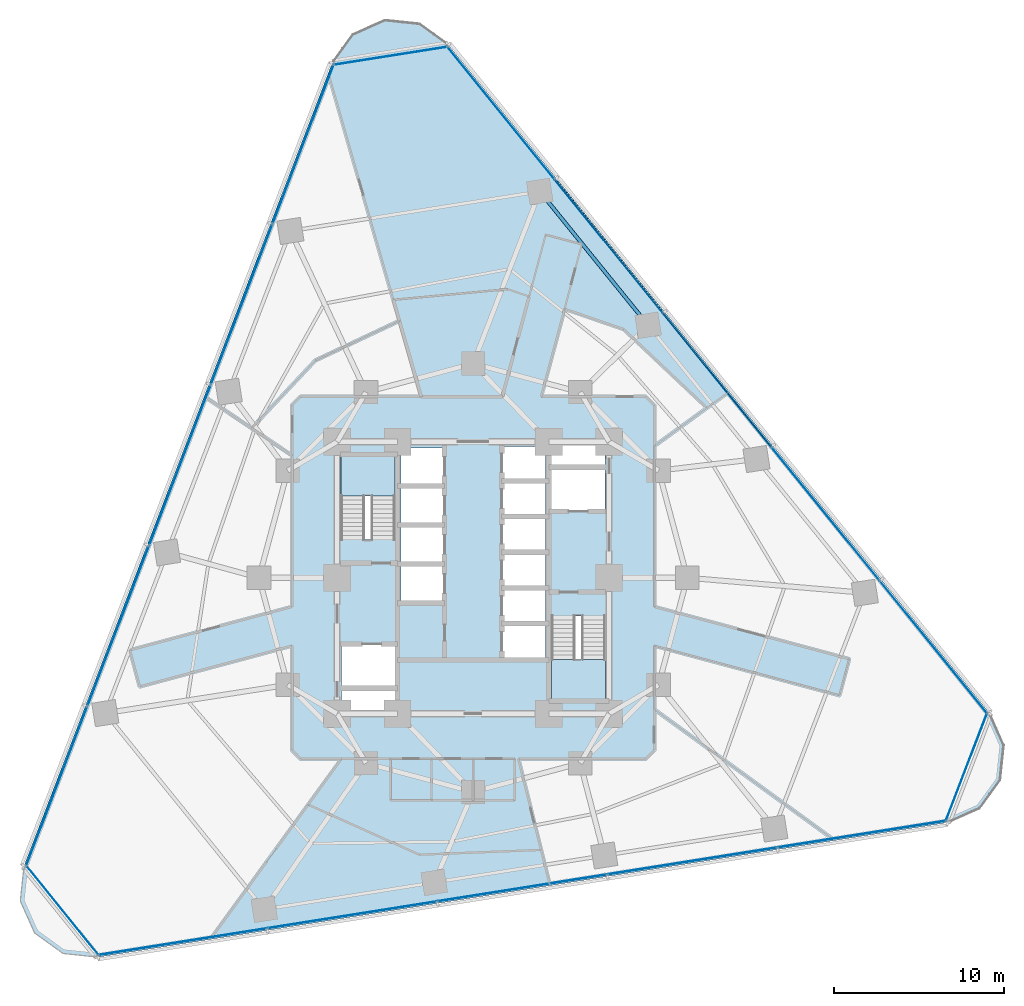
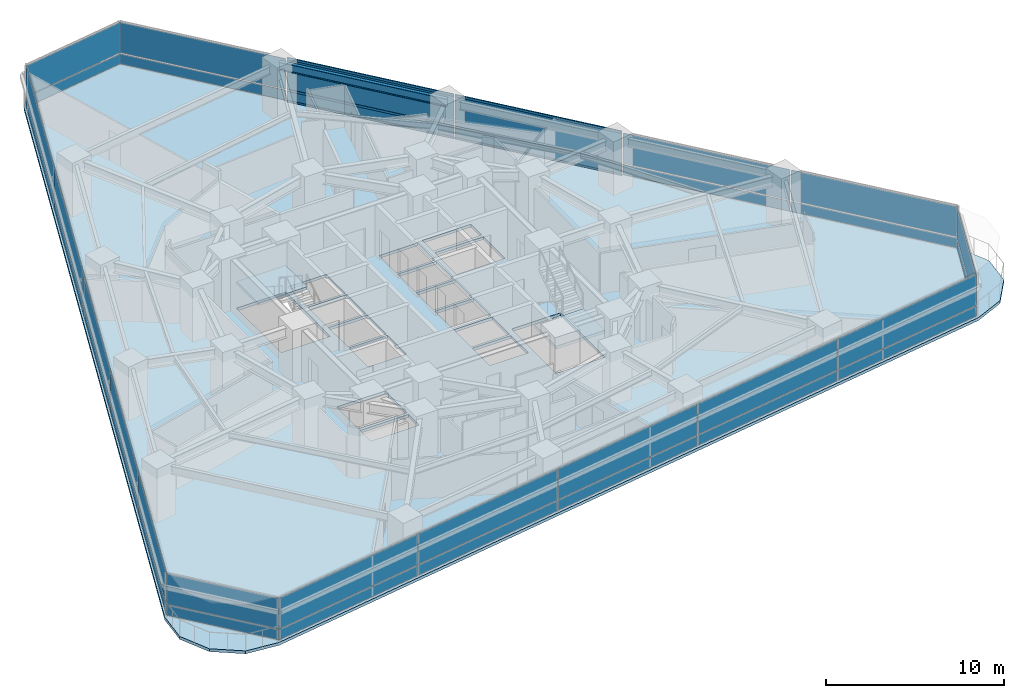
# One storey, part 6 of 13: 36 plates, 6 members, 3 slabs, 1 beam, 8 elements without a shape of their own.
"""IFC4 building model written with IfcOpenShell, lengths in metres."""

from ifc_helpers import new_model, si_unit, direction, frame, origin, origin_2d, place, context, subcontext, project, spatial, polyline, rectangle, i_section, outline, extrude, material, layer, layer_set, material_profile, profile_set, type_object, element, aggregate, save


model = new_model("IFC4")

# Units and contexts
model_context = context("Model", 3, precision=1e-05, world=origin(), true_north=direction((0.0, 1.0)))
body_context = subcontext(model_context, "Body", "Model", "MODEL_VIEW")
ifc_project = project(units=[si_unit("LENGTHUNIT", "METRE"), si_unit("AREAUNIT", "SQUARE_METRE"), si_unit("VOLUMEUNIT", "CUBIC_METRE"), si_unit("PLANEANGLEUNIT", "RADIAN"), si_unit("MASSUNIT", "GRAM", prefix="KILO")], contexts=[model_context])

# Site, building, storey
site_placement = place(None, origin())
site = spatial("IfcSite", under=ifc_project, at=site_placement, CompositionType="ELEMENT")
building_placement = place(site_placement, origin())
building = spatial("IfcBuilding", under=site, at=building_placement, Name="Terralouvre Media Tower", CompositionType="ELEMENT")
storey_placement = place(building_placement, frame((0.0, 0.0, 55.60009765625)))
storey = spatial("IfcBuildingStorey", under=building, at=storey_placement, Name="L13", CompositionType="ELEMENT", Elevation=55.60009765625)

# Curtain wall, members
ifc_material_1 = material(Name="Low-iron laminated double glazing with solar-control coating", Category="glass")
ifc_layer_1 = layer(ifc_material_1, 0.1650390625, Name="Lower Media Tower Unitised Curtain Wall CW-02")
ifc_layer_set_1 = layer_set([ifc_layer_1], Name="Low-iron laminated double glazing with solar-control coating")
curtain_wall_type_1 = type_object("IfcCurtainWallType", Name="Lower Media Tower Unitised Curtain Wall CW-02", PredefinedType="NOTDEFINED", material=ifc_layer_set_1)
curtain_wall_1_placement = place(storey_placement, origin())
curtain_wall_1 = element("IfcCurtainWall", 1, at=curtain_wall_1_placement, inside=storey, type_object=curtain_wall_type_1, Name="L13 Facade Curtain Wall F1", PredefinedType="NOTDEFINED")
ifc_material_2 = material(Name="Anodised extruded aluminium 6063-T6", Category="aluminium")
ifc_material_profile_1 = material_profile(ifc_material_2, rectangle(XDim=0.074951171875, YDim=0.14990234375, at=origin_2d()), Name="ALU 75x150")
ifc_profile_set_1 = profile_set([ifc_material_profile_1], Name="Anodised extruded aluminium 6063-T6")
member_type = type_object("IfcMemberType", Name="Curtain-Wall Horizontal Transom TR-150", PredefinedType="USERDEFINED", material=ifc_profile_set_1)
member_1_placement = place(storey_placement, frame((17.523681640625, 7.72265625, 0.037353515625), z_axis=(-0.629319084722, 0.777147019299, 0.0), x_axis=(-0.777147019299, -0.629319084722, 0.0)))
member_1 = element("IfcMember", 2, at=member_1_placement, type_object=member_type, Name="CW-02 transom 3.1", ObjectType="TRANSOM", PredefinedType="USERDEFINED", context=body_context, shape_type="SweptSolid", body=[
    extrude(rectangle(XDim=0.074951171875, YDim=0.14990234375, at=origin_2d()), origin(), (0.0, 0.0, 1.0), 10.052734375),
])
member_2_placement = place(storey_placement, frame((17.523681640625, 7.72265625, 0.7998046875), z_axis=(-0.629319084722, 0.777147019299, 0.0), x_axis=(-0.777147019299, -0.629319084722, 0.0)))
member_2 = element("IfcMember", 3, at=member_2_placement, type_object=member_type, Name="CW-02 transom 3.2", ObjectType="TRANSOM", PredefinedType="USERDEFINED", context=body_context, shape_type="SweptSolid", body=[
    extrude(rectangle(XDim=0.074951171875, YDim=0.14990234375, at=origin_2d()), origin(), (0.0, 0.0, 1.0), 10.052734375),
])
member_3_placement = place(storey_placement, frame((17.523681640625, 7.72265625, 2.96240234375), z_axis=(-0.629319084722, 0.777147019299, 0.0), x_axis=(-0.777147019299, -0.629319084722, 0.0)))
member_3 = element("IfcMember", 4, at=member_3_placement, type_object=member_type, Name="CW-02 transom 3.3", ObjectType="TRANSOM", PredefinedType="USERDEFINED", context=body_context, shape_type="SweptSolid", body=[
    extrude(rectangle(XDim=0.074951171875, YDim=0.14990234375, at=origin_2d()), origin(), (0.0, 0.0, 1.0), 10.052734375),
])
member_4_placement = place(storey_placement, frame((11.14990234375, 15.593505859375, 0.037353515625), z_axis=(-0.629307207311, 0.777156637253, 0.0), x_axis=(-0.777156637253, -0.629307207311, 0.0)))
member_4 = element("IfcMember", 5, at=member_4_placement, type_object=member_type, Name="CW-02 transom 4.1", ObjectType="TRANSOM", PredefinedType="USERDEFINED", context=body_context, shape_type="SweptSolid", body=[
    extrude(rectangle(XDim=0.074951171875, YDim=0.14990234375, at=origin_2d()), origin(), (0.0, 0.0, 1.0), 10.052978515625),
])
member_5_placement = place(storey_placement, frame((11.14990234375, 15.593505859375, 0.7998046875), z_axis=(-0.629307207311, 0.777156637253, 0.0), x_axis=(-0.777156637253, -0.629307207311, 0.0)))
member_5 = element("IfcMember", 6, at=member_5_placement, type_object=member_type, Name="CW-02 transom 4.2", ObjectType="TRANSOM", PredefinedType="USERDEFINED", context=body_context, shape_type="SweptSolid", body=[
    extrude(rectangle(XDim=0.074951171875, YDim=0.14990234375, at=origin_2d()), origin(), (0.0, 0.0, 1.0), 10.052978515625),
])
member_6_placement = place(storey_placement, frame((11.14990234375, 15.593505859375, 2.96240234375), z_axis=(-0.629307207311, 0.777156637253, 0.0), x_axis=(-0.777156637253, -0.629307207311, 0.0)))
member_6 = element("IfcMember", 7, at=member_6_placement, type_object=member_type, Name="CW-02 transom 4.3", ObjectType="TRANSOM", PredefinedType="USERDEFINED", context=body_context, shape_type="SweptSolid", body=[
    extrude(rectangle(XDim=0.074951171875, YDim=0.14990234375, at=origin_2d()), origin(), (0.0, 0.0, 1.0), 10.052978515625),
])

# Beam
ifc_material_3 = material(Name="Structural steel S355J2", Category="steel")
ifc_material_profile_2 = material_profile(ifc_material_3, i_section(OverallWidth=0.2099609375, OverallDepth=0.550048828125, WebThickness=0.010986328125, FlangeThickness=0.01708984375, at=origin_2d()), Name="IPE 550")
ifc_profile_set_2 = profile_set([ifc_material_profile_2], Name="Structural steel S355J2")
beam_type = type_object("IfcBeamType", Name="Perimeter Spandrel Beam SPB-550 (IPE 550)", PredefinedType="SPANDREL", material=ifc_profile_set_2)
beam_placement = place(storey_placement, frame((10.29541015625, 14.853271484375, 3.224853515625), z_axis=(-0.629325814949, 0.777141569239, 0.0), x_axis=(-0.777141569239, -0.629325814949, 0.0)))
element("IfcBeam", 8, at=beam_placement, inside=storey, type_object=beam_type, Name="L13 Framing Beam BM-L13-PR08", PredefinedType="SPANDREL", context=body_context, shape_type="SweptSolid", body=[
    extrude(i_section(OverallWidth=0.2099609375, OverallDepth=0.550048828125, WebThickness=0.010986328125, FlangeThickness=0.01708984375, at=origin_2d()), origin(), (0.0, 0.0, 1.0), 10.1279296875),
])

# Slab
ifc_material_4 = material(Name="Concrete C40/50", Category="concrete")
ifc_layer_2 = layer(ifc_material_4, 0.199951171875, Name="Composite Tower Floor Slab S-TYP200")
ifc_layer_set_2 = layer_set([ifc_layer_2], Name="Concrete C40/50")
slab_type_1 = type_object("IfcSlabType", Name="Composite Tower Floor Slab S-TYP200", PredefinedType="FLOOR", material=ifc_layer_set_2)
slab_1_placement = place(storey_placement, frame((0.0, 0.0, -0.2001953125), z_axis=(0.0, 0.0, 1.0), x_axis=(0.987688340595, 0.15643446504, 0.0)))
element("IfcSlab", 9, at=slab_1_placement, inside=storey, type_object=slab_type_1, Name="L13 Structural Floor Slab", PredefinedType="FLOOR", context=body_context, shape_type="SweptSolid", body=[
    extrude(outline(polyline([(-28.766845703125, -12.62841796875), (-29.300048828125, -14.618408203125), (-28.766845703125, -16.6083984375), (-27.31005859375, -18.065185546875), (-25.320068359375, -18.598388671875), (25.320068359375, -18.598388671875), (27.31005859375, -18.065185546875), (28.766845703125, -16.6083984375), (29.300048828125, -14.618408203125), (28.766845703125, -12.62841796875), (3.44677734375, 31.22705078125), (1.989990234375, 32.683837890625), (0.0, 33.217041015625), (-1.989990234375, 32.683837890625), (-3.44677734375, 31.22705078125), (-28.766845703125, -12.62841796875)]), holes=[polyline([(-5.763671875, -6.984375), (-8.874755859375, -6.49169921875), (-8.68701171875, -5.306396484375), (-5.575927734375, -5.799072265625), (-5.763671875, -6.984375)]), polyline([(-5.54443359375, -5.6015625), (-8.65576171875, -5.10888671875), (-8.2724609375, -2.68896484375), (-5.161376953125, -3.181884765625), (-5.54443359375, -5.6015625)]), polyline([(-1.95068359375, -1.128662109375), (-4.419921875, -0.73779296875), (-4.0849609375, 1.3759765625), (-1.61572265625, 0.98486328125), (-1.95068359375, -1.128662109375)]), polyline([(-1.5908203125, 1.142822265625), (-4.06005859375, 1.533935546875), (-3.725341796875, 3.647705078125), (-1.256103515625, 3.256591796875), (-1.5908203125, 1.142822265625)]), polyline([(4.44482421875, 0.895751953125), (1.9755859375, 1.286865234375), (2.279052734375, 3.202880859375), (4.748291015625, 2.811767578125), (4.44482421875, 0.895751953125)]), polyline([(-1.23095703125, 3.41455078125), (-3.7001953125, 3.8056640625), (-3.365478515625, 5.91943359375), (-0.896240234375, 5.5283203125), (-1.23095703125, 3.41455078125)]), polyline([(-4.192138671875, 2.93701171875), (-7.3330078125, 3.434326171875), (-6.548583984375, 8.3876953125), (-3.40771484375, 7.89013671875), (-4.192138671875, 2.93701171875)]), polyline([(-0.87109375, 5.686279296875), (-3.34033203125, 6.077392578125), (-3.005615234375, 8.19091796875), (-0.536376953125, 7.800048828125), (-0.87109375, 5.686279296875)]), polyline([(4.192138671875, -2.93701171875), (7.3330078125, -3.434326171875), (6.548583984375, -8.3876953125), (3.40771484375, -7.89013671875), (4.192138671875, -2.93701171875)]), polyline([(3.459228515625, -5.32666015625), (0.989990234375, -4.935546875), (1.29345703125, -3.01953125), (3.7626953125, -3.41064453125), (3.459228515625, -5.32666015625)]), polyline([(3.787841796875, -3.252685546875), (1.318603515625, -2.861572265625), (1.6220703125, -0.9453125), (4.09130859375, -1.33642578125), (3.787841796875, -3.252685546875)]), polyline([(4.1162109375, -1.178466796875), (1.647216796875, -0.787353515625), (1.95068359375, 1.128662109375), (4.419921875, 0.73779296875), (4.1162109375, -1.178466796875)]), polyline([(4.7734375, 2.9697265625), (2.30419921875, 3.36083984375), (2.607666015625, 5.277099609375), (5.076904296875, 4.885986328125), (4.7734375, 2.9697265625)]), polyline([(8.2724609375, 2.68896484375), (5.161376953125, 3.181884765625), (5.54443359375, 5.6015625), (8.65576171875, 5.10888671875), (8.2724609375, 2.68896484375)]), polyline([(5.101806640625, 5.0439453125), (2.632568359375, 5.43505859375), (2.93603515625, 7.35107421875), (5.4052734375, 6.960205078125), (5.101806640625, 5.0439453125)]), polyline([(8.68701171875, 5.306396484375), (5.575927734375, 5.799072265625), (5.763671875, 6.984375), (8.874755859375, 6.49169921875), (8.68701171875, 5.306396484375)])]), origin(), (0.0, 0.0, 1.0), 0.2001953125),
])

# Stair, slab
ifc_material_5 = material(Name="Concrete C45/55", Category="concrete")
stair_type_1 = type_object("IfcStairType", Name="Dogleg Stair Assembly ST-01", PredefinedType="HALF_TURN_STAIR", material=ifc_material_5)
stair_1_placement = place(storey_placement, origin())
stair_1 = element("IfcStair", 10, at=stair_1_placement, inside=storey, type_object=stair_type_1, Name="L13 Core Pressurised Exit Stair ST-01", PredefinedType="HALF_TURN_STAIR")
ifc_material_6 = material(Name="Concrete C45/55", Category="concrete")
ifc_layer_3 = layer(ifc_material_6, 0.199951171875, Name="Reinforced Concrete Stair Half-Landing SL-LD1")
ifc_layer_set_3 = layer_set([ifc_layer_3], Name="Concrete C45/55")
slab_type_2 = type_object("IfcSlabType", Name="Reinforced Concrete Stair Half-Landing SL-LD1", PredefinedType="LANDING", material=ifc_layer_set_3)
slab_2_placement = place(storey_placement, frame((0.0, 0.0, 1.64990234375)))
slab_2 = element("IfcSlab", 11, at=slab_2_placement, type_object=slab_type_2, Name="ST-01 landing 1", PredefinedType="LANDING", context=body_context, shape_type="SweptSolid", body=[
    extrude(outline(polyline([(-4.60009765625, 4.820068359375), (-4.60009765625, 7.260009765625), (-7.780029296875, 7.260009765625), (-7.780029296875, 4.820068359375), (-4.60009765625, 4.820068359375)])), origin(), (0.0, 0.0, 1.0), 0.199951171875),
])
aggregate(stair_1, [slab_2])

ifc_material_7 = material(Name="Concrete C45/55", Category="concrete")
stair_type_2 = type_object("IfcStairType", Name="Dogleg Stair Assembly ST-02", PredefinedType="HALF_TURN_STAIR", material=ifc_material_7)
stair_2_placement = place(storey_placement, origin())
stair_2 = element("IfcStair", 12, at=stair_2_placement, inside=storey, type_object=stair_type_2, Name="L13 Core Pressurised Exit Stair ST-02", PredefinedType="HALF_TURN_STAIR")
slab_3_placement = place(storey_placement, frame((0.0, 0.0, 1.64990234375)))
slab_3 = element("IfcSlab", 13, at=slab_3_placement, type_object=slab_type_2, Name="ST-02 landing 1", PredefinedType="LANDING", context=body_context, shape_type="SweptSolid", body=[
    extrude(outline(polyline([(4.60009765625, -4.820068359375), (4.60009765625, -7.260009765625), (7.780029296875, -7.260009765625), (7.780029296875, -4.820068359375), (4.60009765625, -4.820068359375)])), origin(), (0.0, 0.0, 1.0), 0.199951171875),
])
aggregate(stair_2, [slab_3])

# Curtain wall, plates
ifc_material_8 = material(Name="Low-iron laminated double glazing with solar-control coating", Category="glass")
ifc_layer_4 = layer(ifc_material_8, 0.1650390625, Name="Rounded Wind-Corner Curved Glazing CW-04")
ifc_layer_set_4 = layer_set([ifc_layer_4], Name="Low-iron laminated double glazing with solar-control coating")
curtain_wall_type_2 = type_object("IfcCurtainWallType", Name="Rounded Wind-Corner Curved Glazing CW-04", PredefinedType="NOTDEFINED", material=ifc_layer_set_4)
curtain_wall_2_placement = place(storey_placement, origin())
curtain_wall_2 = element("IfcCurtainWall", 14, at=curtain_wall_2_placement, inside=storey, type_object=curtain_wall_type_2, Name="L13 Rounded Wind-Corner Curtain Wall C0", PredefinedType="NOTDEFINED")
ifc_material_9 = material(Name="Low-iron laminated double glazing with solar-control coating", Category="glass")
ifc_layer_5 = layer(ifc_material_9, 0.0400390625, Name="Rounded Corner Laminated Vision Panel CWP-03")
ifc_layer_set_5 = layer_set([ifc_layer_5], Name="Low-iron laminated double glazing with solar-control coating")
plate_type_1 = type_object("IfcPlateType", Name="Rounded Corner Laminated Vision Panel CWP-03", PredefinedType="CURTAIN_PANEL", material=ifc_layer_set_5)
plate_1_placement = place(storey_placement, frame((-24.1591796875, -19.563720703125, 0.074951171875), z_axis=(0.0, 0.0, 1.0), x_axis=(0.629320031936, -0.777146252262, 0.0)))
plate_1 = element("IfcPlate", 15, at=plate_1_placement, type_object=plate_type_1, Name="CW-04 panel 1.1", PredefinedType="CURTAIN_PANEL", context=body_context, shape_type="SweptSolid", body=[
    extrude(rectangle(XDim=6.74365234375, YDim=0.035888671875, at=origin_2d()), origin(), (0.0, 0.0, 1.0), 0.6875),
])
plate_2_placement = place(storey_placement, frame((-24.1591796875, -19.563720703125, 0.83740234375), z_axis=(0.0, 0.0, 1.0), x_axis=(0.629320031936, -0.777146252262, 0.0)))
plate_2 = element("IfcPlate", 16, at=plate_2_placement, type_object=plate_type_1, Name="CW-04 panel 1.2", PredefinedType="CURTAIN_PANEL", context=body_context, shape_type="SweptSolid", body=[
    extrude(rectangle(XDim=6.74365234375, YDim=0.035888671875, at=origin_2d()), origin(), (0.0, 0.0, 1.0), 2.08740234375),
])
aggregate(curtain_wall_2, [plate_1, plate_2])

curtain_wall_3_placement = place(storey_placement, origin())
curtain_wall_3 = element("IfcCurtainWall", 17, at=curtain_wall_3_placement, inside=storey, type_object=curtain_wall_type_2, Name="L13 Rounded Wind-Corner Curtain Wall C1", PredefinedType="NOTDEFINED")
plate_3_placement = place(storey_placement, frame((29.022216796875, -11.140625, 0.074951171875), z_axis=(0.0, 0.0, 1.0), x_axis=(0.358367472863, 0.933580609478, 0.0)))
plate_3 = element("IfcPlate", 18, at=plate_3_placement, type_object=plate_type_1, Name="CW-04 panel 1.1", PredefinedType="CURTAIN_PANEL", context=body_context, shape_type="SweptSolid", body=[
    extrude(rectangle(XDim=6.74365234375, YDim=0.035888671875, at=origin_2d()), origin(), (0.0, 0.0, 1.0), 0.6875),
])
plate_4_placement = place(storey_placement, frame((29.022216796875, -11.140625, 0.83740234375), z_axis=(0.0, 0.0, 1.0), x_axis=(0.358367472863, 0.933580609478, 0.0)))
plate_4 = element("IfcPlate", 19, at=plate_4_placement, type_object=plate_type_1, Name="CW-04 panel 1.2", PredefinedType="CURTAIN_PANEL", context=body_context, shape_type="SweptSolid", body=[
    extrude(rectangle(XDim=6.74365234375, YDim=0.035888671875, at=origin_2d()), origin(), (0.0, 0.0, 1.0), 2.08740234375),
])
aggregate(curtain_wall_3, [plate_3, plate_4])

curtain_wall_4_placement = place(storey_placement, origin())
curtain_wall_4 = element("IfcCurtainWall", 20, at=curtain_wall_4_placement, inside=storey, type_object=curtain_wall_type_2, Name="L13 Rounded Wind-Corner Curtain Wall C2", PredefinedType="NOTDEFINED")
plate_5_placement = place(storey_placement, frame((-4.863037109375, 30.704345703125, 0.074951171875), z_axis=(0.0, 0.0, 1.0), x_axis=(-0.987688353034, -0.156434386502, 0.0)))
plate_5 = element("IfcPlate", 21, at=plate_5_placement, type_object=plate_type_1, Name="CW-04 panel 1.1", PredefinedType="CURTAIN_PANEL", context=body_context, shape_type="SweptSolid", body=[
    extrude(rectangle(XDim=6.74365234375, YDim=0.035888671875, at=origin_2d()), origin(), (0.0, 0.0, 1.0), 0.6875),
])
plate_6_placement = place(storey_placement, frame((-4.863037109375, 30.704345703125, 0.83740234375), z_axis=(0.0, 0.0, 1.0), x_axis=(-0.987688353034, -0.156434386502, 0.0)))
plate_6 = element("IfcPlate", 22, at=plate_6_placement, type_object=plate_type_1, Name="CW-04 panel 1.2", PredefinedType="CURTAIN_PANEL", context=body_context, shape_type="SweptSolid", body=[
    extrude(rectangle(XDim=6.74365234375, YDim=0.035888671875, at=origin_2d()), origin(), (0.0, 0.0, 1.0), 2.08740234375),
])
aggregate(curtain_wall_4, [plate_5, plate_6])

curtain_wall_5_placement = place(storey_placement, origin())
curtain_wall_5 = element("IfcCurtainWall", 23, at=curtain_wall_5_placement, inside=storey, type_object=curtain_wall_type_1, Name="L13 Facade Curtain Wall F0", PredefinedType="NOTDEFINED")
ifc_material_10 = material(Name="Low-iron laminated double glazing with solar-control coating", Category="glass")
ifc_layer_6 = layer(ifc_material_10, 0.035888671875, Name="Vision Double-Glazed Unit CWP-01")
ifc_layer_set_6 = layer_set([ifc_layer_6], Name="Low-iron laminated double glazing with solar-control coating")
plate_type_2 = type_object("IfcPlateType", Name="Vision Double-Glazed Unit CWP-01", PredefinedType="CURTAIN_PANEL", material=ifc_layer_set_6)
plate_7_placement = place(storey_placement, frame((-17.097412109375, -21.416748046875, 0.074951171875), z_axis=(0.0, 0.0, 1.0), x_axis=(0.987688340934, 0.156434462903, 0.0)))
plate_7 = element("IfcPlate", 24, at=plate_7_placement, type_object=plate_type_2, Name="CW-02 panel 1.1", PredefinedType="CURTAIN_PANEL", context=body_context, shape_type="SweptSolid", body=[
    extrude(rectangle(XDim=10.015380859375, YDim=0.035888671875, at=origin_2d()), origin(), (0.0, 0.0, 1.0), 0.6875),
])
plate_8_placement = place(storey_placement, frame((-17.097412109375, -21.416748046875, 0.83740234375), z_axis=(0.0, 0.0, 1.0), x_axis=(0.987688340934, 0.156434462903, 0.0)))
plate_8 = element("IfcPlate", 25, at=plate_8_placement, type_object=plate_type_2, Name="CW-02 panel 1.2", PredefinedType="CURTAIN_PANEL", context=body_context, shape_type="SweptSolid", body=[
    extrude(rectangle(XDim=10.015380859375, YDim=0.035888671875, at=origin_2d()), origin(), (0.0, 0.0, 1.0), 2.08740234375),
])
plate_9_placement = place(storey_placement, frame((-7.112548828125, -19.83544921875, 0.074951171875), z_axis=(0.0, 0.0, 1.0), x_axis=(0.987688340934, 0.156434462903, 0.0)))
plate_9 = element("IfcPlate", 26, at=plate_9_placement, type_object=plate_type_2, Name="CW-02 panel 2.1", PredefinedType="CURTAIN_PANEL", context=body_context, shape_type="SweptSolid", body=[
    extrude(rectangle(XDim=10.052978515625, YDim=0.035888671875, at=origin_2d()), origin(), (0.0, 0.0, 1.0), 0.6875),
])
plate_10_placement = place(storey_placement, frame((-7.112548828125, -19.83544921875, 0.83740234375), z_axis=(0.0, 0.0, 1.0), x_axis=(0.987688340934, 0.156434462903, 0.0)))
plate_10 = element("IfcPlate", 27, at=plate_10_placement, type_object=plate_type_2, Name="CW-02 panel 2.2", PredefinedType="CURTAIN_PANEL", context=body_context, shape_type="SweptSolid", body=[
    extrude(rectangle(XDim=10.052978515625, YDim=0.035888671875, at=origin_2d()), origin(), (0.0, 0.0, 1.0), 2.08740234375),
])
plate_11_placement = place(storey_placement, frame((2.890625, -18.2509765625, 0.074951171875), z_axis=(0.0, 0.0, 1.0), x_axis=(0.987688340934, 0.156434462903, 0.0)))
plate_11 = element("IfcPlate", 28, at=plate_11_placement, type_object=plate_type_2, Name="CW-02 panel 3.1", PredefinedType="CURTAIN_PANEL", context=body_context, shape_type="SweptSolid", body=[
    extrude(rectangle(XDim=10.052978515625, YDim=0.035888671875, at=origin_2d()), origin(), (0.0, 0.0, 1.0), 0.6875),
])
plate_12_placement = place(storey_placement, frame((2.890625, -18.2509765625, 0.83740234375), z_axis=(0.0, 0.0, 1.0), x_axis=(0.987688340934, 0.156434462903, 0.0)))
plate_12 = element("IfcPlate", 29, at=plate_12_placement, type_object=plate_type_2, Name="CW-02 panel 3.2", PredefinedType="CURTAIN_PANEL", context=body_context, shape_type="SweptSolid", body=[
    extrude(rectangle(XDim=10.052978515625, YDim=0.035888671875, at=origin_2d()), origin(), (0.0, 0.0, 1.0), 2.08740234375),
])
plate_13_placement = place(storey_placement, frame((12.89404296875, -16.666748046875, 0.074951171875), z_axis=(0.0, 0.0, 1.0), x_axis=(0.987688340934, 0.156434462903, 0.0)))
plate_13 = element("IfcPlate", 30, at=plate_13_placement, type_object=plate_type_2, Name="CW-02 panel 4.1", PredefinedType="CURTAIN_PANEL", context=body_context, shape_type="SweptSolid", body=[
    extrude(rectangle(XDim=10.052978515625, YDim=0.035888671875, at=origin_2d()), origin(), (0.0, 0.0, 1.0), 0.6875),
])
plate_14_placement = place(storey_placement, frame((12.89404296875, -16.666748046875, 0.83740234375), z_axis=(0.0, 0.0, 1.0), x_axis=(0.987688340934, 0.156434462903, 0.0)))
plate_14 = element("IfcPlate", 31, at=plate_14_placement, type_object=plate_type_2, Name="CW-02 panel 4.2", PredefinedType="CURTAIN_PANEL", context=body_context, shape_type="SweptSolid", body=[
    extrude(rectangle(XDim=10.052978515625, YDim=0.035888671875, at=origin_2d()), origin(), (0.0, 0.0, 1.0), 2.08740234375),
])
plate_15_placement = place(storey_placement, frame((22.878662109375, -15.085205078125, 0.074951171875), z_axis=(0.0, 0.0, 1.0), x_axis=(0.987688340934, 0.156434462903, 0.0)))
plate_15 = element("IfcPlate", 32, at=plate_15_placement, type_object=plate_type_2, Name="CW-02 panel 5.1", PredefinedType="CURTAIN_PANEL", context=body_context, shape_type="SweptSolid", body=[
    extrude(rectangle(XDim=10.015380859375, YDim=0.035888671875, at=origin_2d()), origin(), (0.0, 0.0, 1.0), 0.6875),
])
plate_16_placement = place(storey_placement, frame((22.878662109375, -15.085205078125, 0.83740234375), z_axis=(0.0, 0.0, 1.0), x_axis=(0.987688340934, 0.156434462903, 0.0)))
plate_16 = element("IfcPlate", 33, at=plate_16_placement, type_object=plate_type_2, Name="CW-02 panel 5.2", PredefinedType="CURTAIN_PANEL", context=body_context, shape_type="SweptSolid", body=[
    extrude(rectangle(XDim=10.015380859375, YDim=0.035888671875, at=origin_2d()), origin(), (0.0, 0.0, 1.0), 2.08740234375),
])
aggregate(curtain_wall_5, [plate_7, plate_8, plate_9, plate_10, plate_11, plate_12, plate_13, plate_14, plate_15, plate_16])

# Plate
plate_17_placement = place(storey_placement, frame((27.09619140625, -4.098388671875, 0.074951171875), z_axis=(0.0, 0.0, 1.0), x_axis=(-0.629320350521, 0.777145994276, 0.0)))
plate_17 = element("IfcPlate", 34, at=plate_17_placement, type_object=plate_type_2, Name="CW-02 panel 1.1", PredefinedType="CURTAIN_PANEL", context=body_context, shape_type="SweptSolid", body=[
    extrude(rectangle(XDim=10.015380859375, YDim=0.035888671875, at=origin_2d()), origin(), (0.0, 0.0, 1.0), 0.6875),
])

plate_18_placement = place(storey_placement, frame((27.09619140625, -4.098388671875, 0.83740234375), z_axis=(0.0, 0.0, 1.0), x_axis=(-0.629320350521, 0.777145994276, 0.0)))
plate_18 = element("IfcPlate", 35, at=plate_18_placement, type_object=plate_type_2, Name="CW-02 panel 1.2", PredefinedType="CURTAIN_PANEL", context=body_context, shape_type="SweptSolid", body=[
    extrude(rectangle(XDim=10.015380859375, YDim=0.035888671875, at=origin_2d()), origin(), (0.0, 0.0, 1.0), 2.08740234375),
])

plate_19_placement = place(storey_placement, frame((20.734375, 3.758056640625, 0.074951171875), z_axis=(0.0, 0.0, 1.0), x_axis=(-0.629320350521, 0.777145994276, 0.0)))
plate_19 = element("IfcPlate", 36, at=plate_19_placement, type_object=plate_type_2, Name="CW-02 panel 2.1", PredefinedType="CURTAIN_PANEL", context=body_context, shape_type="SweptSolid", body=[
    extrude(rectangle(XDim=10.052978515625, YDim=0.035888671875, at=origin_2d()), origin(), (0.0, 0.0, 1.0), 0.6875),
])

plate_20_placement = place(storey_placement, frame((20.734375, 3.758056640625, 0.83740234375), z_axis=(0.0, 0.0, 1.0), x_axis=(-0.629320350521, 0.777145994276, 0.0)))
plate_20 = element("IfcPlate", 37, at=plate_20_placement, type_object=plate_type_2, Name="CW-02 panel 2.2", PredefinedType="CURTAIN_PANEL", context=body_context, shape_type="SweptSolid", body=[
    extrude(rectangle(XDim=10.052978515625, YDim=0.035888671875, at=origin_2d()), origin(), (0.0, 0.0, 1.0), 2.08740234375),
])

plate_21_placement = place(storey_placement, frame((14.360595703125, 11.62890625, 0.074951171875), z_axis=(0.0, 0.0, 1.0), x_axis=(-0.629320350521, 0.777145994276, 0.0)))
plate_21 = element("IfcPlate", 38, at=plate_21_placement, type_object=plate_type_2, Name="CW-02 panel 3.1", PredefinedType="CURTAIN_PANEL", context=body_context, shape_type="SweptSolid", body=[
    extrude(rectangle(XDim=10.052978515625, YDim=0.035888671875, at=origin_2d()), origin(), (0.0, 0.0, 1.0), 0.6875),
])

plate_22_placement = place(storey_placement, frame((14.360595703125, 11.62890625, 0.83740234375), z_axis=(0.0, 0.0, 1.0), x_axis=(-0.629320350521, 0.777145994276, 0.0)))
plate_22 = element("IfcPlate", 39, at=plate_22_placement, type_object=plate_type_2, Name="CW-02 panel 3.2", PredefinedType="CURTAIN_PANEL", context=body_context, shape_type="SweptSolid", body=[
    extrude(rectangle(XDim=10.052978515625, YDim=0.035888671875, at=origin_2d()), origin(), (0.0, 0.0, 1.0), 2.08740234375),
])

plate_23_placement = place(storey_placement, frame((7.98681640625, 19.499755859375, 0.074951171875), z_axis=(0.0, 0.0, 1.0), x_axis=(-0.629320350521, 0.777145994276, 0.0)))
plate_23 = element("IfcPlate", 40, at=plate_23_placement, type_object=plate_type_2, Name="CW-02 panel 4.1", PredefinedType="CURTAIN_PANEL", context=body_context, shape_type="SweptSolid", body=[
    extrude(rectangle(XDim=10.052978515625, YDim=0.035888671875, at=origin_2d()), origin(), (0.0, 0.0, 1.0), 0.6875),
])

plate_24_placement = place(storey_placement, frame((7.98681640625, 19.499755859375, 0.83740234375), z_axis=(0.0, 0.0, 1.0), x_axis=(-0.629320350521, 0.777145994276, 0.0)))
plate_24 = element("IfcPlate", 41, at=plate_24_placement, type_object=plate_type_2, Name="CW-02 panel 4.2", PredefinedType="CURTAIN_PANEL", context=body_context, shape_type="SweptSolid", body=[
    extrude(rectangle(XDim=10.052978515625, YDim=0.035888671875, at=origin_2d()), origin(), (0.0, 0.0, 1.0), 2.08740234375),
])

plate_25_placement = place(storey_placement, frame((1.624755859375, 27.356201171875, 0.074951171875), z_axis=(0.0, 0.0, 1.0), x_axis=(-0.629320350521, 0.777145994276, 0.0)))
plate_25 = element("IfcPlate", 42, at=plate_25_placement, type_object=plate_type_2, Name="CW-02 panel 5.1", PredefinedType="CURTAIN_PANEL", context=body_context, shape_type="SweptSolid", body=[
    extrude(rectangle(XDim=10.015380859375, YDim=0.035888671875, at=origin_2d()), origin(), (0.0, 0.0, 1.0), 0.6875),
])

plate_26_placement = place(storey_placement, frame((1.624755859375, 27.356201171875, 0.83740234375), z_axis=(0.0, 0.0, 1.0), x_axis=(-0.629320350521, 0.777145994276, 0.0)))
plate_26 = element("IfcPlate", 43, at=plate_26_placement, type_object=plate_type_2, Name="CW-02 panel 5.2", PredefinedType="CURTAIN_PANEL", context=body_context, shape_type="SweptSolid", body=[
    extrude(rectangle(XDim=10.015380859375, YDim=0.035888671875, at=origin_2d()), origin(), (0.0, 0.0, 1.0), 2.08740234375),
])

aggregate(curtain_wall_1, [plate_17, plate_18, plate_19, plate_20, member_1, member_2, member_3, plate_21, plate_22, member_4, member_5, member_6, plate_23, plate_24, plate_25, plate_26])

# Curtain wall, plates
curtain_wall_6_placement = place(storey_placement, origin())
curtain_wall_6 = element("IfcCurtainWall", 44, at=curtain_wall_6_placement, inside=storey, type_object=curtain_wall_type_1, Name="L13 Facade Curtain Wall F2", PredefinedType="NOTDEFINED")
plate_27_placement = place(storey_placement, frame((-9.998779296875, 25.51513671875, 0.074951171875), z_axis=(0.0, 0.0, 1.0), x_axis=(-0.358367917006, -0.933580438988, 0.0)))
plate_27 = element("IfcPlate", 45, at=plate_27_placement, type_object=plate_type_2, Name="CW-02 panel 1.1", PredefinedType="CURTAIN_PANEL", context=body_context, shape_type="SweptSolid", body=[
    extrude(rectangle(XDim=10.015380859375, YDim=0.035888671875, at=origin_2d()), origin(), (0.0, 0.0, 1.0), 0.6875),
])
plate_28_placement = place(storey_placement, frame((-9.998779296875, 25.51513671875, 0.83740234375), z_axis=(0.0, 0.0, 1.0), x_axis=(-0.358367917006, -0.933580438988, 0.0)))
plate_28 = element("IfcPlate", 46, at=plate_28_placement, type_object=plate_type_2, Name="CW-02 panel 1.2", PredefinedType="CURTAIN_PANEL", context=body_context, shape_type="SweptSolid", body=[
    extrude(rectangle(XDim=10.015380859375, YDim=0.035888671875, at=origin_2d()), origin(), (0.0, 0.0, 1.0), 2.08740234375),
])
plate_29_placement = place(storey_placement, frame((-13.62158203125, 16.077392578125, 0.074951171875), z_axis=(0.0, 0.0, 1.0), x_axis=(-0.358367917006, -0.933580438988, 0.0)))
plate_29 = element("IfcPlate", 47, at=plate_29_placement, type_object=plate_type_2, Name="CW-02 panel 2.1", PredefinedType="CURTAIN_PANEL", context=body_context, shape_type="SweptSolid", body=[
    extrude(rectangle(XDim=10.052978515625, YDim=0.035888671875, at=origin_2d()), origin(), (0.0, 0.0, 1.0), 0.6875),
])
plate_30_placement = place(storey_placement, frame((-13.62158203125, 16.077392578125, 0.83740234375), z_axis=(0.0, 0.0, 1.0), x_axis=(-0.358367917006, -0.933580438988, 0.0)))
plate_30 = element("IfcPlate", 48, at=plate_30_placement, type_object=plate_type_2, Name="CW-02 panel 2.2", PredefinedType="CURTAIN_PANEL", context=body_context, shape_type="SweptSolid", body=[
    extrude(rectangle(XDim=10.052978515625, YDim=0.035888671875, at=origin_2d()), origin(), (0.0, 0.0, 1.0), 2.08740234375),
])
plate_31_placement = place(storey_placement, frame((-17.251220703125, 6.6220703125, 0.074951171875), z_axis=(0.0, 0.0, 1.0), x_axis=(-0.358367917006, -0.933580438988, 0.0)))
plate_31 = element("IfcPlate", 49, at=plate_31_placement, type_object=plate_type_2, Name="CW-02 panel 3.1", PredefinedType="CURTAIN_PANEL", context=body_context, shape_type="SweptSolid", body=[
    extrude(rectangle(XDim=10.052978515625, YDim=0.035888671875, at=origin_2d()), origin(), (0.0, 0.0, 1.0), 0.6875),
])
plate_32_placement = place(storey_placement, frame((-17.251220703125, 6.6220703125, 0.83740234375), z_axis=(0.0, 0.0, 1.0), x_axis=(-0.358367917006, -0.933580438988, 0.0)))
plate_32 = element("IfcPlate", 50, at=plate_32_placement, type_object=plate_type_2, Name="CW-02 panel 3.2", PredefinedType="CURTAIN_PANEL", context=body_context, shape_type="SweptSolid", body=[
    extrude(rectangle(XDim=10.052978515625, YDim=0.035888671875, at=origin_2d()), origin(), (0.0, 0.0, 1.0), 2.08740234375),
])
plate_33_placement = place(storey_placement, frame((-20.880615234375, -2.833251953125, 0.074951171875), z_axis=(0.0, 0.0, 1.0), x_axis=(-0.358367917006, -0.933580438988, 0.0)))
plate_33 = element("IfcPlate", 51, at=plate_33_placement, type_object=plate_type_2, Name="CW-02 panel 4.1", PredefinedType="CURTAIN_PANEL", context=body_context, shape_type="SweptSolid", body=[
    extrude(rectangle(XDim=10.052978515625, YDim=0.035888671875, at=origin_2d()), origin(), (0.0, 0.0, 1.0), 0.6875),
])
plate_34_placement = place(storey_placement, frame((-20.880615234375, -2.833251953125, 0.83740234375), z_axis=(0.0, 0.0, 1.0), x_axis=(-0.358367917006, -0.933580438988, 0.0)))
plate_34 = element("IfcPlate", 52, at=plate_34_placement, type_object=plate_type_2, Name="CW-02 panel 4.2", PredefinedType="CURTAIN_PANEL", context=body_context, shape_type="SweptSolid", body=[
    extrude(rectangle(XDim=10.052978515625, YDim=0.035888671875, at=origin_2d()), origin(), (0.0, 0.0, 1.0), 2.08740234375),
])
plate_35_placement = place(storey_placement, frame((-24.503662109375, -12.27099609375, 0.074951171875), z_axis=(0.0, 0.0, 1.0), x_axis=(-0.358367917006, -0.933580438988, 0.0)))
plate_35 = element("IfcPlate", 53, at=plate_35_placement, type_object=plate_type_2, Name="CW-02 panel 5.1", PredefinedType="CURTAIN_PANEL", context=body_context, shape_type="SweptSolid", body=[
    extrude(rectangle(XDim=10.015380859375, YDim=0.035888671875, at=origin_2d()), origin(), (0.0, 0.0, 1.0), 0.6875),
])
plate_36_placement = place(storey_placement, frame((-24.503662109375, -12.27099609375, 0.83740234375), z_axis=(0.0, 0.0, 1.0), x_axis=(-0.358367917006, -0.933580438988, 0.0)))
plate_36 = element("IfcPlate", 54, at=plate_36_placement, type_object=plate_type_2, Name="CW-02 panel 5.2", PredefinedType="CURTAIN_PANEL", context=body_context, shape_type="SweptSolid", body=[
    extrude(rectangle(XDim=10.015380859375, YDim=0.035888671875, at=origin_2d()), origin(), (0.0, 0.0, 1.0), 2.08740234375),
])
aggregate(curtain_wall_6, [plate_27, plate_28, plate_29, plate_30, plate_31, plate_32, plate_33, plate_34, plate_35, plate_36])

save(model, "model.ifc")
